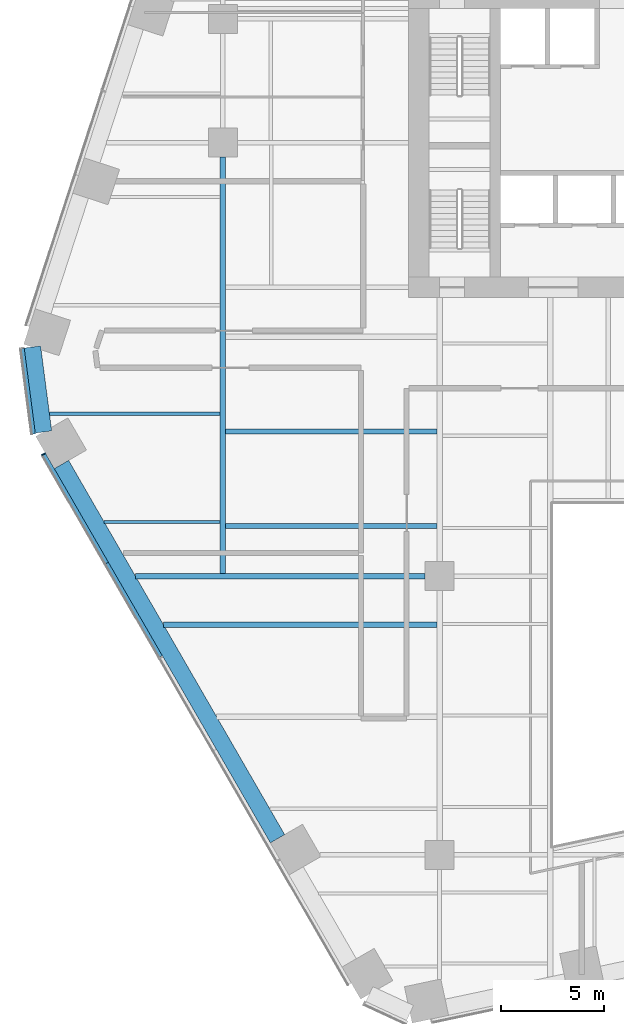
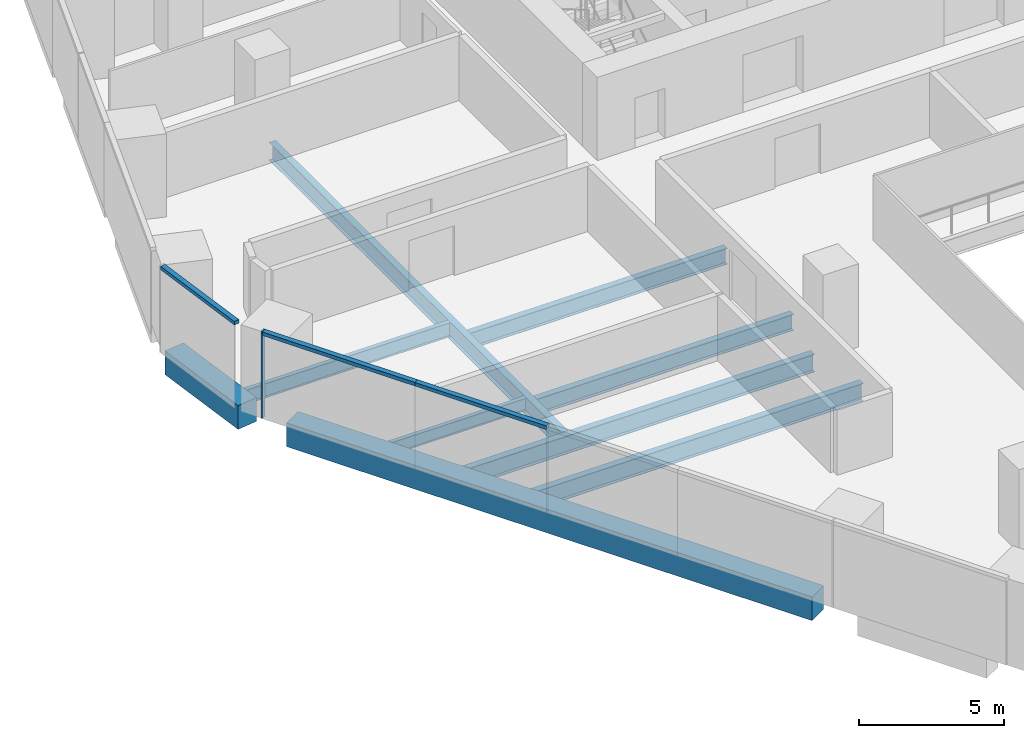
# One storey, part 3 of 20: 9 beams, 4 members, 2 elements without a shape of their own.
"""IFC4 building model written with IfcOpenShell, lengths in metres."""

import ifcopenshell
import ifcopenshell.guid

model = None  # the IFC model being written
_history = None  # IfcOwnerHistory: only IFC2X3 demands one
_inside = {}  # id of a spatial element -> (the spatial element, [elements in it])
_under = {}  # id of a project, library or spatial element -> (it, [spatial elements below it])
_declared = {}  # id of a project -> (the project, [libraries it declares])
_typed = {}  # id of a type object -> (the type object, [elements of that type])
_made_of = {}  # id of a material, layer set ... -> (it, [elements and type objects made of it])


def new_model(schema):
    """Start an empty IFC model of exactly this schema.

    Asked for "IFC4X3", IfcOpenShell would pick the latest addendum, in which some entities
    have other attributes; the version numbers below select the first issue.
    IFC2X3 requires an IfcOwnerHistory on every rooted entity: one is made here for all.
    """
    global model, _history
    if schema == "IFC4X3":
        model = ifcopenshell.file(schema_version=(4, 3, 0, 0))
    else:
        model = ifcopenshell.file(schema=schema)
    _inside.clear()
    _under.clear()
    _declared.clear()
    _typed.clear()
    _made_of.clear()
    _history = None
    if model.schema == "IFC2X3":
        org = make("IfcOrganization", Name="unknown")
        user = make(
            "IfcPersonAndOrganization",
            ThePerson=make("IfcPerson", FamilyName="unknown"),
            TheOrganization=org,
        )
        app = make(
            "IfcApplication",
            ApplicationDeveloper=org,
            Version="unknown",
            ApplicationFullName="unknown",
            ApplicationIdentifier="unknown",
        )
        _history = make(
            "IfcOwnerHistory",
            OwningUser=user,
            OwningApplication=app,
            ChangeAction="ADDED",
            CreationDate=0,
        )
    return model


def make(cls, **values):
    """One entity of the class cls with the attributes given. An attribute that is None is left unset."""
    return model.create_entity(
        cls, **{name: value for name, value in values.items() if value is not None}
    )


def rooted(cls, **values):
    """An entity with a GlobalId (a new one), such as an element, a storey or a relation."""
    return make(cls, GlobalId=ifcopenshell.guid.new(), OwnerHistory=_history, **values)


def si_unit(unit_type, name, prefix=None):
    """IfcSIUnit, for example si_unit("LENGTHUNIT", "METRE", prefix="MILLI")."""
    return make("IfcSIUnit", UnitType=unit_type, Prefix=prefix, Name=name)


def assignment(units):
    """IfcUnitAssignment: the units of a project."""
    return None if units is None else make("IfcUnitAssignment", Units=units)


def point(xyz):
    """IfcCartesianPoint."""
    return None if xyz is None else make("IfcCartesianPoint", Coordinates=xyz)


def direction(xyz):
    """IfcDirection."""
    return None if xyz is None else make("IfcDirection", DirectionRatios=xyz)


def frame(location, z_axis=None, x_axis=None):
    """IfcAxis2Placement3D, a coordinate frame: its origin and axes. An axis left out is left unset."""
    return make(
        "IfcAxis2Placement3D",
        Location=point(location),
        Axis=direction(z_axis),
        RefDirection=direction(x_axis),
    )


def frame_2d(location, x_axis=None):
    """IfcAxis2Placement2D, a coordinate frame in the plane: its origin and x axis."""
    return make(
        "IfcAxis2Placement2D", Location=point(location), RefDirection=direction(x_axis)
    )


def origin():
    """The frame at (0, 0, 0) with its axes left unset."""
    return frame((0.0, 0.0, 0.0))


def origin_2d():
    """The frame at (0, 0) in the plane with its x axis left unset."""
    return frame_2d((0.0, 0.0))


def place(relative_to, where):
    """IfcLocalPlacement: puts the frame where relative to a parent placement (None: the world)."""
    return make(
        "IfcLocalPlacement", PlacementRelTo=relative_to, RelativePlacement=where
    )


def context(
    kind, dimensions, precision=None, world=None, true_north=None, identifier=None
):
    """IfcGeometricRepresentationContext, for example the 3D "Model" context."""
    return make(
        "IfcGeometricRepresentationContext",
        ContextIdentifier=identifier,
        ContextType=kind,
        CoordinateSpaceDimension=dimensions,
        Precision=precision,
        WorldCoordinateSystem=world,
        TrueNorth=true_north,
    )


def subcontext(parent, identifier, kind, view, scale=None):
    """IfcGeometricRepresentationSubContext, for example "Body" below "Model"."""
    return make(
        "IfcGeometricRepresentationSubContext",
        ContextIdentifier=identifier,
        ContextType=kind,
        ParentContext=parent,
        TargetScale=scale,
        TargetView=view,
    )


def project(units=None, contexts=None):
    """IfcProject with its units and contexts."""
    return rooted(
        "IfcProject",
        Name="project",
        RepresentationContexts=contexts,
        UnitsInContext=assignment(units),
    )


def spatial(cls, under=None, at=None, **own):
    """A site, building, storey or space (cls), placed at a placement, below another one or the project."""
    s = rooted(cls, ObjectPlacement=at, **own)
    if under is not None:
        _under.setdefault(under.id(), (under, []))[1].append(s)
    return s


def profile(cls, at=None, kind="AREA", **sizes):
    """A parametric profile (cls). Its sizes go by their IFC names, for example OverallWidth=200.0."""
    return make(cls, ProfileType=kind, Position=at, **sizes)


def rectangle(**sizes):
    """IfcRectangleProfileDef."""
    return profile("IfcRectangleProfileDef", **sizes)


def i_section(**sizes):
    """IfcIShapeProfileDef."""
    return profile("IfcIShapeProfileDef", **sizes)


def extrude(swept, where, along, depth):
    """IfcExtrudedAreaSolid: the profile swept, set in the frame where, extruded along a direction by depth."""
    return make(
        "IfcExtrudedAreaSolid",
        SweptArea=swept,
        Position=where,
        ExtrudedDirection=direction(along),
        Depth=depth,
    )


def shape(context_of_items, identifier, shape_type, items):
    """IfcShapeRepresentation: the items that make up one representation, for example the "Body"."""
    return make(
        "IfcShapeRepresentation",
        ContextOfItems=context_of_items,
        RepresentationIdentifier=identifier,
        RepresentationType=shape_type,
        Items=items,
    )


def material(Name=None, Category=None):
    """IfcMaterial."""
    return make("IfcMaterial", Name=Name, Category=Category)


def layer(
    of_material, thickness, ventilated=None, Name=None, Category=None, Priority=None
):
    """IfcMaterialLayer: one layer of a wall or slab, of a material (None: an air gap)."""
    return make(
        "IfcMaterialLayer",
        Material=of_material,
        LayerThickness=thickness,
        IsVentilated=ventilated,
        Name=Name,
        Category=Category,
        Priority=Priority,
    )


def layer_set(layers, Name=None):
    """IfcMaterialLayerSet."""
    return make("IfcMaterialLayerSet", MaterialLayers=layers, LayerSetName=Name)


def material_profile(
    of_material, cross_section, Name=None, Category=None, Priority=None
):
    """IfcMaterialProfile: a cross section and its material."""
    return make(
        "IfcMaterialProfile",
        Name=Name,
        Material=of_material,
        Profile=cross_section,
        Priority=Priority,
        Category=Category,
    )


def profile_set(profiles, Name=None, composite=None):
    """IfcMaterialProfileSet."""
    return make(
        "IfcMaterialProfileSet",
        Name=Name,
        MaterialProfiles=profiles,
        CompositeProfile=composite,
    )


def made_of(thing, what):
    """Note that an element or type object is made of a material, layer set ...; save() writes the relation."""
    if what is not None:
        _made_of.setdefault(what.id(), (what, []))[1].append(thing)
    return thing


def type_object(cls, material=None, **own):
    """A type object (cls), such as IfcWallType, which elements share."""
    return made_of(rooted(cls, **own), material)


def element(
    cls,
    number,
    at=None,
    inside=None,
    cuts=None,
    type_object=None,
    material=None,
    context=None,
    identifier="Body",
    shape_type=None,
    held_by="IfcProductDefinitionShape",
    body=None,
    shapes=None,
    **own,
):
    """One element of the class cls, such as IfcWall. Its Tag is "e" and its number.

    at: its placement. inside: the storey or other place that contains it. cuts: it is an
    opening in that element (IfcRelVoidsElement). A single representation is given by context,
    identifier, shape_type and body (its items); several are given by shapes. held_by: the class
    of the entity that holds the representations. save() writes the other relations.
    """
    e = rooted(cls, Tag="e%d" % number, ObjectPlacement=at, **own)
    if body is not None:
        shapes = [shape(context, identifier, shape_type, body)]
    if shapes is not None:
        e.Representation = make(held_by, Representations=shapes)
    if inside is not None:
        _inside.setdefault(inside.id(), (inside, []))[1].append(e)
    if cuts is not None:
        rooted(
            "IfcRelVoidsElement", RelatingBuildingElement=cuts, RelatedOpeningElement=e
        )
    if type_object is not None:
        _typed.setdefault(type_object.id(), (type_object, []))[1].append(e)
    return made_of(e, material)


def aggregate(whole, parts):
    """IfcRelAggregates: a whole, such as a stair, and the parts it consists of."""
    return rooted("IfcRelAggregates", RelatingObject=whole, RelatedObjects=parts)


def save(model, path):
    """Write the relations noted so far, then the file.

    IfcRelAggregates (storeys below a building ...), IfcRelContainedInSpatialStructure (elements
    in a storey), IfcRelDefinesByType, IfcRelAssociatesMaterial and IfcRelDeclares: one each for
    every whole, place, type object, material and project.
    """
    for whole, parts in _under.values():
        aggregate(whole, parts)
    for where, things in _inside.values():
        rooted(
            "IfcRelContainedInSpatialStructure",
            RelatedElements=things,
            RelatingStructure=where,
        )
    for kind, things in _typed.values():
        rooted("IfcRelDefinesByType", RelatedObjects=things, RelatingType=kind)
    for what, things in _made_of.values():
        rooted("IfcRelAssociatesMaterial", RelatedObjects=things, RelatingMaterial=what)
    for by, libraries in _declared.values():
        rooted("IfcRelDeclares", RelatingContext=by, RelatedDefinitions=libraries)
    model.write(path)


model = new_model("IFC4")

# Units and contexts
model_context = context("Model", 3, precision=1e-05, world=origin(), true_north=direction((0.0, 1.0)))
body_context = subcontext(model_context, "Body", "Model", "MODEL_VIEW")
ifc_project = project(units=[si_unit("LENGTHUNIT", "METRE"), si_unit("AREAUNIT", "SQUARE_METRE"), si_unit("VOLUMEUNIT", "CUBIC_METRE"), si_unit("PLANEANGLEUNIT", "RADIAN"), si_unit("MASSUNIT", "GRAM", prefix="KILO")], contexts=[model_context])

# Site, building, storey
site_placement = place(None, origin())
site = spatial("IfcSite", under=ifc_project, at=site_placement, CompositionType="ELEMENT")
building_placement = place(site_placement, origin())
building = spatial("IfcBuilding", under=site, at=building_placement, Name="Isthmus Gate Tower", CompositionType="ELEMENT")
storey_placement = place(building_placement, frame((0.0, 0.0, 65.199951171875)))
storey = spatial("IfcBuildingStorey", under=building, at=storey_placement, Name="L14", CompositionType="ELEMENT", Elevation=65.199951171875)

# Curtain wall, member
ifc_material_1 = material(Name="Aluminium, pale champagne anodised", Category="aluminium")
ifc_layer = layer(ifc_material_1, 0.199951171875)
ifc_layer_set = layer_set([ifc_layer], Name="CW-1 UNITISED CURTAIN WALL 200 DEEP")
curtain_wall_type = type_object("IfcCurtainWallType", Name="CW-1 UNITISED CURTAIN WALL 200 DEEP", PredefinedType="NOTDEFINED", material=ifc_layer_set)
curtain_wall_1_placement = place(storey_placement, origin())
curtain_wall_1 = element("IfcCurtainWall", 1, at=curtain_wall_1_placement, inside=storey, type_object=curtain_wall_type, Name="CW-1 SW L14", PredefinedType="NOTDEFINED")
ifc_material_2 = material(Name="Aluminium, pale champagne anodised", Category="aluminium")
ifc_material_profile_1 = material_profile(ifc_material_2, rectangle(XDim=0.06005859375, YDim=0.199951171875, at=origin_2d()), Name="60x200")
ifc_profile_set_1 = profile_set([ifc_material_profile_1], Name="Aluminium, pale champagne anodised")
member_type_1 = type_object("IfcMemberType", Name="CW-1 MULLION 60 X 200", PredefinedType="MULLION", material=ifc_profile_set_1)
member_1_placement = place(storey_placement, frame((-32.685302734375, -7.58740234375, 0.0), z_axis=(0.0, 0.0, 1.0), x_axis=(0.5, -0.866025403784, 0.0)))
member_1 = element("IfcMember", 2, at=member_1_placement, type_object=member_type_1, Name="CW-1 mullion", PredefinedType="MULLION", context=body_context, shape_type="SweptSolid", body=[
    extrude(rectangle(XDim=0.06005859375, YDim=0.199951171875, at=origin_2d()), origin(), (0.0, 0.0, 1.0), 3.650146484375),
])

curtain_wall_2_placement = place(storey_placement, origin())
curtain_wall_2 = element("IfcCurtainWall", 3, at=curtain_wall_2_placement, inside=storey, type_object=curtain_wall_type, Name="CW-1 NW-SW L14", PredefinedType="NOTDEFINED")
ifc_material_3 = material(Name="Aluminium, pale champagne anodised", Category="aluminium")
ifc_material_profile_2 = material_profile(ifc_material_3, rectangle(XDim=0.199951171875, YDim=0.14990234375, at=origin_2d()), Name="200x150")
ifc_profile_set_2 = profile_set([ifc_material_profile_2], Name="Aluminium, pale champagne anodised")
member_type_2 = type_object("IfcMemberType", Name="CW-1 TRANSOM 200 X 150", PredefinedType="USERDEFINED", material=ifc_profile_set_2)
member_2_placement = place(storey_placement, frame((-33.71923828125, -2.474609375, 3.574951171875), z_axis=(0.129206893318, -0.991617657527, 0.0), x_axis=(0.991617657527, 0.129206893318, 0.0)))
member_2 = element("IfcMember", 4, at=member_2_placement, type_object=member_type_2, Name="CW-1 transom", ObjectType="TRANSOM", PredefinedType="USERDEFINED", context=body_context, shape_type="SweptSolid", body=[
    extrude(rectangle(XDim=0.199951171875, YDim=0.14990234375, at=origin_2d()), origin(), (0.0, 0.0, 1.0), 4.181640625),
])
aggregate(curtain_wall_2, [member_2])

# Member
member_3_placement = place(storey_placement, frame((-32.67041015625, -7.61328125, 3.574951171875), z_axis=(0.49999965181, -0.866025604812, 0.0), x_axis=(0.866025604812, 0.49999965181, 0.0)))
member_3 = element("IfcMember", 5, at=member_3_placement, type_object=member_type_2, Name="CW-1 transom", ObjectType="TRANSOM", PredefinedType="USERDEFINED", context=body_context, shape_type="SweptSolid", body=[
    extrude(rectangle(XDim=0.199951171875, YDim=0.14990234375, at=origin_2d()), origin(), (0.0, 0.0, 1.0), 6.07373046875),
])

member_4_placement = place(storey_placement, frame((-29.633544921875, -12.873291015625, 3.574951171875), z_axis=(0.500017221754, -0.866015460572, 0.0), x_axis=(0.866015460572, 0.500017221754, 0.0)))
member_4 = element("IfcMember", 6, at=member_4_placement, type_object=member_type_2, Name="CW-1 transom", ObjectType="TRANSOM", PredefinedType="USERDEFINED", context=body_context, shape_type="SweptSolid", body=[
    extrude(rectangle(XDim=0.199951171875, YDim=0.14990234375, at=origin_2d()), origin(), (0.0, 0.0, 1.0), 5.233642578125),
])

aggregate(curtain_wall_1, [member_1, member_3, member_4])

# Beams
ifc_material_4 = material(Name="Concrete f'c 70 MPa", Category="concrete")
ifc_material_profile_3 = material_profile(ifc_material_4, rectangle(XDim=0.800048828125, YDim=1.0, at=origin_2d()), Name="RC 800X1000")
ifc_profile_set_3 = profile_set([ifc_material_profile_3], Name="Concrete f'c 70 MPa")
beam_type_1 = type_object("IfcBeamType", Name="RC SPANDREL 800 X 1000", PredefinedType="SPANDREL", material=ifc_profile_set_3)
beam_1_placement = place(storey_placement, frame((-21.35009765625, -26.220458984375, -0.5), z_axis=(-0.500004778811, 0.866022644719, 0.0), x_axis=(-0.866022644719, -0.500004778811, 0.0)))
element("IfcBeam", 7, at=beam_1_placement, inside=storey, type_object=beam_type_1, Name="str-spandrel-L14-16", PredefinedType="SPANDREL", context=body_context, shape_type="SweptSolid", body=[
    extrude(rectangle(XDim=0.800048828125, YDim=1.0, at=origin_2d()), origin(), (0.0, 0.0, 1.0), 20.934326171875),
])
beam_2_placement = place(storey_placement, frame((-32.6884765625, -6.515380859375, -0.5), z_axis=(-0.129170777359, 0.991622362735, 0.0), x_axis=(-0.991622362735, -0.129170777359, 0.0)))
element("IfcBeam", 8, at=beam_2_placement, inside=storey, type_object=beam_type_1, Name="str-spandrel-L14-17", PredefinedType="SPANDREL", context=body_context, shape_type="SweptSolid", body=[
    extrude(rectangle(XDim=0.800048828125, YDim=1.0, at=origin_2d()), origin(), (0.0, 0.0, 1.0), 4.15234375),
])
ifc_material_5 = material(Name="Structural steel ASTM A992 Gr 50", Category="steel")
ifc_material_profile_4 = material_profile(ifc_material_5, i_section(OverallWidth=0.1650390625, OverallDepth=0.52392578125, WebThickness=0.009521484375, FlangeThickness=0.010986328125, at=origin_2d()), Name="W21X44")
ifc_profile_set_4 = profile_set([ifc_material_profile_4], Name="Structural steel ASTM A992 Gr 50")
beam_type_2 = type_object("IfcBeamType", Name="STEEL FLOOR BEAM W21X44", PredefinedType="JOIST", material=ifc_profile_set_4)
beam_3_placement = place(storey_placement, frame((-29.748046875, -10.875, -0.411865234375), z_axis=(1.0, 0.0, 0.0), x_axis=(0.0, 1.0, 0.0)))
element("IfcBeam", 9, at=beam_3_placement, inside=storey, type_object=beam_type_2, Name="str-beam-L14-00-00", PredefinedType="JOIST", context=body_context, shape_type="SweptSolid", body=[
    extrude(i_section(OverallWidth=0.1650390625, OverallDepth=0.52392578125, WebThickness=0.009521484375, FlangeThickness=0.010986328125, at=origin_2d()), origin(), (0.0, 0.0, 1.0), 5.61474609375),
])
ifc_material_6 = material(Name="Structural steel ASTM A992 Gr 50", Category="steel")
ifc_material_profile_5 = material_profile(ifc_material_6, i_section(OverallWidth=0.177734375, OverallDepth=0.60009765625, WebThickness=0.009521484375, FlangeThickness=0.0126953125, at=origin_2d()), Name="W24X55")
ifc_profile_set_5 = profile_set([ifc_material_profile_5], Name="Structural steel ASTM A992 Gr 50")
beam_type_3 = type_object("IfcBeamType", Name="STEEL FLOOR BEAM W24X55", PredefinedType="JOIST", material=ifc_profile_set_5)
beam_4_placement = place(storey_placement, frame((-32.401123046875, -5.625, -0.449951171875), z_axis=(1.0, 0.0, 0.0), x_axis=(0.0, 1.0, 0.0)))
element("IfcBeam", 10, at=beam_4_placement, inside=storey, type_object=beam_type_3, Name="str-beam-L14-00-01", PredefinedType="JOIST", context=body_context, shape_type="SweptSolid", body=[
    extrude(i_section(OverallWidth=0.177734375, OverallDepth=0.60009765625, WebThickness=0.009521484375, FlangeThickness=0.0126953125, at=origin_2d()), origin(), (0.0, 0.0, 1.0), 8.267822265625),
])
ifc_material_7 = material(Name="Structural steel ASTM A992 Gr 50", Category="steel")
ifc_material_profile_6 = material_profile(ifc_material_7, i_section(OverallWidth=0.25390625, OverallDepth=0.679443359375, WebThickness=0.010986328125, FlangeThickness=0.015869140625, at=origin_2d()), Name="W27X84")
ifc_profile_set_6 = profile_set([ifc_material_profile_6], Name="Structural steel ASTM A992 Gr 50")
beam_type_4 = type_object("IfcBeamType", Name="STEEL FLOOR BEAM W27X84", PredefinedType="JOIST", material=ifc_profile_set_6)
for number, where, z_axis, x_axis, name in (
    (11, (-23.86669921875, -11.07470703125, -0.48974609375), (1.0, 0.0, 0.0), (0.0, 1.0, 0.0), "str-beam-L14-07-00"),
    (12, (-23.86669921875, -6.490478515625, -0.48974609375), (1.0, 0.0, 0.0), (0.0, 1.0, 0.0), "str-beam-L14-07-01"),
):
    element("IfcBeam", number, at=place(storey_placement, frame(where, z_axis=z_axis, x_axis=x_axis)), inside=storey, type_object=beam_type_4, Name=name, PredefinedType="JOIST", context=body_context, shape_type="SweptSolid", body=[
        extrude(i_section(OverallWidth=0.25390625, OverallDepth=0.679443359375, WebThickness=0.010986328125, FlangeThickness=0.015869140625, at=origin_2d()), origin(), (0.0, 0.0, 1.0), 10.23486328125),
    ])
ifc_material_8 = material(Name="Structural steel ASTM A992 Gr 50", Category="steel")
ifc_material_profile_7 = material_profile(ifc_material_8, i_section(OverallWidth=0.263427734375, OverallDepth=0.749267578125, WebThickness=0.0126953125, FlangeThickness=0.015869140625, at=origin_2d()), Name="W30X90")
ifc_profile_set_7 = profile_set([ifc_material_profile_7], Name="Structural steel ASTM A992 Gr 50")
beam_type_5 = type_object("IfcBeamType", Name="STEEL FLOOR BEAM W30X90", PredefinedType="JOIST", material=ifc_profile_set_7)
beam_5_placement = place(storey_placement, frame((-26.869140625, -15.861083984375, -0.524658203125), z_axis=(1.0, 0.0, 0.0), x_axis=(0.0, 1.0, 0.0)))
element("IfcBeam", 13, at=beam_5_placement, inside=storey, type_object=beam_type_5, Name="str-beam-L14-05-02", PredefinedType="JOIST", context=body_context, shape_type="SweptSolid", body=[
    extrude(i_section(OverallWidth=0.263427734375, OverallDepth=0.749267578125, WebThickness=0.0126953125, FlangeThickness=0.015869140625, at=origin_2d()), origin(), (0.0, 0.0, 1.0), 13.2373046875),
])
ifc_material_9 = material(Name="Structural steel ASTM A992 Gr 50", Category="steel")
ifc_material_profile_8 = material_profile(ifc_material_9, i_section(OverallWidth=0.2666015625, OverallDepth=0.7587890625, WebThickness=0.014404296875, FlangeThickness=0.01904296875, at=origin_2d()), Name="W30X108")
ifc_profile_set_8 = profile_set([ifc_material_profile_8], Name="Structural steel ASTM A992 Gr 50")
beam_type_6 = type_object("IfcBeamType", Name="STEEL GIRDER W30X108", PredefinedType="BEAM", material=ifc_profile_set_8)
beam_6_placement = place(storey_placement, frame((-28.232421875, -13.5, -0.529296875), z_axis=(1.0, 0.0, 0.0), x_axis=(0.0, 1.0, 0.0)))
element("IfcBeam", 14, at=beam_6_placement, inside=storey, type_object=beam_type_6, Name="str-girder-L14-05", PredefinedType="BEAM", context=body_context, shape_type="SweptSolid", body=[
    extrude(i_section(OverallWidth=0.2666015625, OverallDepth=0.7587890625, WebThickness=0.014404296875, FlangeThickness=0.01904296875, at=origin_2d()), origin(), (0.0, 0.0, 1.0), 14.032470703125),
])
beam_7_placement = place(storey_placement, frame((-24.0, -13.36669921875, -0.529296875), z_axis=(0.0, 1.0, 0.0), x_axis=(-1.0, 0.0, 0.0)))
element("IfcBeam", 15, at=beam_7_placement, inside=storey, type_object=beam_type_6, Name="str-girder-L14-20", PredefinedType="BEAM", context=body_context, shape_type="SweptSolid", body=[
    extrude(i_section(OverallWidth=0.2666015625, OverallDepth=0.7587890625, WebThickness=0.014404296875, FlangeThickness=0.01904296875, at=origin_2d()), origin(), (0.0, 0.0, 1.0), 20.166748046875),
])

save(model, "model.ifc")
